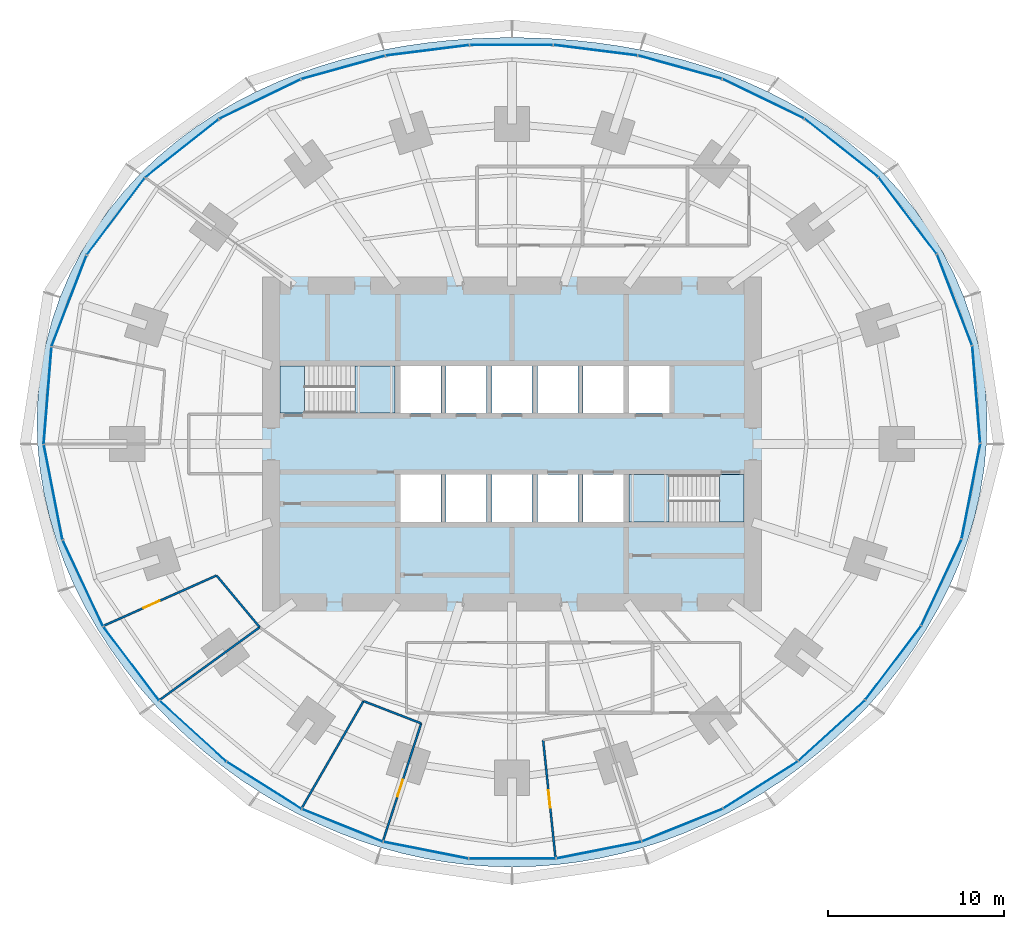
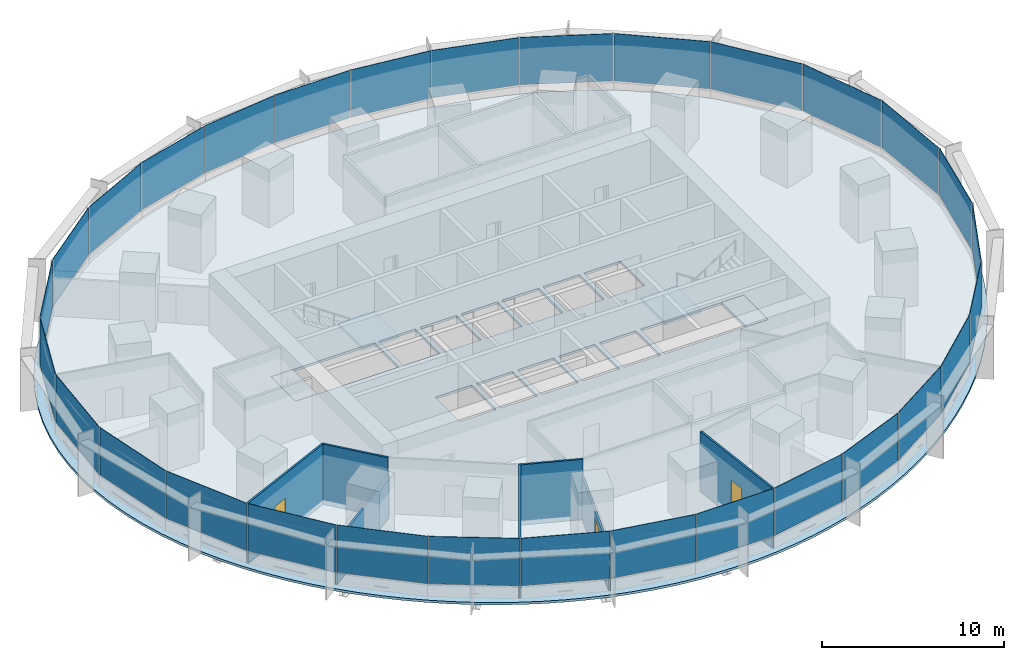
# One storey, part 10 of 15: 30 plates, 7 walls, 5 slabs, 3 doors, 3 openings, 8 elements without a shape of their own.
"""IFC4 building model written with IfcOpenShell, lengths in metres."""

from ifc_helpers import new_model, si_unit, direction, frame, frame_2d, origin, origin_2d, place, context, subcontext, project, spatial, polyline, rectangle, outline, extrude, material, layer, layer_set, type_object, element, fill, aggregate, save


model = new_model("IFC4")

# Units and contexts
model_context = context("Model", 3, precision=1e-05, world=origin(), true_north=direction((0.0, 1.0)))
body_context = subcontext(model_context, "Body", "Model", "MODEL_VIEW")
ifc_project = project(units=[si_unit("LENGTHUNIT", "METRE"), si_unit("AREAUNIT", "SQUARE_METRE"), si_unit("VOLUMEUNIT", "CUBIC_METRE"), si_unit("PLANEANGLEUNIT", "RADIAN"), si_unit("MASSUNIT", "GRAM", prefix="KILO")], contexts=[model_context])

# Site, building, storey
site_placement = place(None, origin())
site = spatial("IfcSite", under=ifc_project, at=site_placement, CompositionType="ELEMENT")
building_placement = place(site_placement, origin())
building = spatial("IfcBuilding", under=site, at=building_placement, Name="Marramba Exchange Tower", CompositionType="ELEMENT")
storey_placement = place(building_placement, frame((0.0, 0.0, 57.39990234375)))
storey = spatial("IfcBuildingStorey", under=building, at=storey_placement, Name="L13", CompositionType="ELEMENT", Elevation=57.39990234375)

# Slab
ifc_material_1 = material(Name="Concrete N40", Category="concrete")
ifc_layer_1 = layer(ifc_material_1, 0.159912109375)
ifc_layer_set_1 = layer_set([ifc_layer_1], Name="Composite floor slab 160")
slab_type_1 = type_object("IfcSlabType", Name="Composite floor slab 160", PredefinedType="FLOOR", material=ifc_layer_set_1)
slab_1_placement = place(storey_placement, frame((0.0, 0.0, -0.159912109375)))
element("IfcSlab", 1, at=slab_1_placement, inside=storey, type_object=slab_type_1, Name="Floor slab L13", PredefinedType="FLOOR", context=body_context, shape_type="SweptSolid", body=[
    extrude(outline(polyline([(27.0, 0.0), (27.035888671875, 1.4169921875), (26.97265625, 2.8349609375), (26.80859375, 4.24609375), (26.5439453125, 5.64208984375), (26.179443359375, 7.0146484375), (25.717529296875, 8.356201171875), (25.16162109375, 9.65869140625), (24.516357421875, 10.915283203125), (23.786865234375, 12.1201171875), (22.9794921875, 13.267333984375), (22.10107421875, 14.3525390625), (21.158447265625, 15.37255859375), (20.159423828125, 16.32470703125), (19.11083984375, 17.20751953125), (18.020263671875, 18.020263671875), (16.89453125, 18.763427734375), (15.740478515625, 19.437744140625), (14.563720703125, 20.04541015625), (13.3701171875, 20.588134765625), (12.164306640625, 21.069091796875), (10.9501953125, 21.4912109375), (9.7314453125, 21.857421875), (8.5107421875, 22.1708984375), (7.289794921875, 22.435302734375), (6.06982421875, 22.6533203125), (4.85205078125, 22.827392578125), (3.636474609375, 22.96044921875), (2.423095703125, 23.053955078125), (1.211181640625, 23.109619140625), (0.0, 23.1279296875), (-1.211181640625, 23.109619140625), (-2.423095703125, 23.053955078125), (-3.636474609375, 22.96044921875), (-4.85205078125, 22.827392578125), (-6.06982421875, 22.6533203125), (-7.289794921875, 22.435302734375), (-8.5107421875, 22.1708984375), (-9.7314453125, 21.857421875), (-10.9501953125, 21.4912109375), (-12.164306640625, 21.069091796875), (-13.3701171875, 20.588134765625), (-14.563720703125, 20.04541015625), (-15.740478515625, 19.437744140625), (-16.89453125, 18.763427734375), (-18.020263671875, 18.020263671875), (-19.11083984375, 17.20751953125), (-20.159423828125, 16.32470703125), (-21.158447265625, 15.37255859375), (-22.10107421875, 14.3525390625), (-22.9794921875, 13.267333984375), (-23.786865234375, 12.1201171875), (-24.516357421875, 10.915283203125), (-25.16162109375, 9.65869140625), (-25.717529296875, 8.356201171875), (-26.179443359375, 7.0146484375), (-26.5439453125, 5.64208984375), (-26.80859375, 4.24609375), (-26.97265625, 2.8349609375), (-27.035888671875, 1.4169921875), (-27.0, 0.0), (-26.8671875, -1.407958984375), (-26.64111328125, -2.800048828125), (-26.326171875, -4.169677734375), (-25.927001953125, -5.510986328125), (-25.44921875, -6.819091796875), (-24.8984375, -8.090087890625), (-24.280517578125, -9.320556640625), (-23.60107421875, -10.5078125), (-22.865234375, -11.650390625), (-22.078369140625, -12.7470703125), (-21.244873046875, -13.796630859375), (-20.36865234375, -14.798583984375), (-19.453369140625, -15.753173828125), (-18.502197265625, -16.659423828125), (-17.517578125, -17.517578125), (-16.501953125, -18.327392578125), (-15.457275390625, -19.088134765625), (-14.385009765625, -19.799072265625), (-13.286865234375, -20.459716796875), (-12.164306640625, -21.069091796875), (-11.01904296875, -21.6259765625), (-9.8525390625, -22.129150390625), (-8.66650390625, -22.577392578125), (-7.463134765625, -22.968994140625), (-6.244140625, -23.30322265625), (-5.01171875, -23.578369140625), (-3.7685546875, -23.793701171875), (-2.51708984375, -23.947998046875), (-1.260009765625, -24.041015625), (0.0, -24.072021484375), (1.260009765625, -24.041015625), (2.51708984375, -23.947998046875), (3.7685546875, -23.793701171875), (5.01171875, -23.578369140625), (6.244140625, -23.30322265625), (7.463134765625, -22.968994140625), (8.66650390625, -22.577392578125), (9.8525390625, -22.129150390625), (11.01904296875, -21.6259765625), (12.164306640625, -21.069091796875), (13.286865234375, -20.459716796875), (14.385009765625, -19.799072265625), (15.457275390625, -19.088134765625), (16.501953125, -18.327392578125), (17.517578125, -17.517578125), (18.502197265625, -16.659423828125), (19.453369140625, -15.753173828125), (20.36865234375, -14.798583984375), (21.244873046875, -13.796630859375), (22.078369140625, -12.7470703125), (22.865234375, -11.650390625), (23.60107421875, -10.5078125), (24.280517578125, -9.320556640625), (24.8984375, -8.090087890625), (25.44921875, -6.819091796875), (25.927001953125, -5.510986328125), (26.326171875, -4.169677734375), (26.64111328125, -2.800048828125), (26.8671875, -1.407958984375), (27.0, 0.0)]), holes=[polyline([(-6.35009765625, 1.75), (-4.050048828125, 1.75), (-4.050048828125, 4.449951171875), (-6.35009765625, 4.449951171875), (-6.35009765625, 1.75)]), polyline([(-3.75, 1.75), (-1.449951171875, 1.75), (-1.449951171875, 4.449951171875), (-3.75, 4.449951171875), (-3.75, 1.75)]), polyline([(-1.14990234375, 1.75), (1.14990234375, 1.75), (1.14990234375, 4.449951171875), (-1.14990234375, 4.449951171875), (-1.14990234375, 1.75)]), polyline([(1.449951171875, 1.75), (3.75, 1.75), (3.75, 4.449951171875), (1.449951171875, 4.449951171875), (1.449951171875, 1.75)]), polyline([(4.050048828125, 1.75), (6.35009765625, 1.75), (6.35009765625, 4.449951171875), (4.050048828125, 4.449951171875), (4.050048828125, 1.75)]), polyline([(-6.35009765625, -4.449951171875), (-4.050048828125, -4.449951171875), (-4.050048828125, -1.75), (-6.35009765625, -1.75), (-6.35009765625, -4.449951171875)]), polyline([(-3.75, -4.449951171875), (-1.449951171875, -4.449951171875), (-1.449951171875, -1.75), (-3.75, -1.75), (-3.75, -4.449951171875)]), polyline([(-1.14990234375, -4.449951171875), (1.14990234375, -4.449951171875), (1.14990234375, -1.75), (-1.14990234375, -1.75), (-1.14990234375, -4.449951171875)]), polyline([(1.449951171875, -4.449951171875), (3.75, -4.449951171875), (3.75, -1.75), (1.449951171875, -1.75), (1.449951171875, -4.449951171875)]), polyline([(4.050048828125, -4.449951171875), (6.35009765625, -4.449951171875), (6.35009765625, -1.75), (4.050048828125, -1.75), (4.050048828125, -4.449951171875)]), polyline([(6.64990234375, 1.75), (8.949951171875, 1.75), (8.949951171875, 4.449951171875), (6.64990234375, 4.449951171875), (6.64990234375, 1.75)]), polyline([(-13.199951171875, 1.75), (-6.64990234375, 1.75), (-6.64990234375, 4.449951171875), (-13.199951171875, 4.449951171875), (-13.199951171875, 1.75)]), polyline([(6.64990234375, -4.449951171875), (13.199951171875, -4.449951171875), (13.199951171875, -1.75), (6.64990234375, -1.75), (6.64990234375, -4.449951171875)])]), origin(), (0.0, 0.0, 1.0), 0.159912109375),
])

# Stair, slabs
ifc_material_2 = material(Name="Concrete N40 (40 MPa)", Category="concrete")
stair_type_1 = type_object("IfcStairType", Name="Exit stair ST1 4200 x 1250", PredefinedType="HALF_TURN_STAIR", material=ifc_material_2)
stair_1_placement = place(storey_placement, origin())
stair_1 = element("IfcStair", 2, at=stair_1_placement, inside=storey, type_object=stair_type_1, Name="Exit stair ST1 L13", PredefinedType="HALF_TURN_STAIR")
ifc_layer_2 = layer(ifc_material_2, 0.199951171875)
ifc_layer_set_2 = layer_set([ifc_layer_2], Name="Stair landing 200")
slab_type_2 = type_object("IfcSlabType", Name="Stair landing 200", PredefinedType="LANDING", material=ifc_layer_set_2)
slab_2_placement = place(storey_placement, frame((0.0, 0.0, -0.199951171875)))
slab_2 = element("IfcSlab", 3, at=slab_2_placement, type_object=slab_type_2, Name="ST1 landing 1", PredefinedType="LANDING", context=body_context, shape_type="SweptSolid", body=[
    extrude(outline(polyline([(-13.199951171875, 1.75), (-11.800048828125, 1.75), (-11.800048828125, 4.449951171875), (-13.199951171875, 4.449951171875), (-13.199951171875, 1.75)])), origin(), (0.0, 0.0, 1.0), 0.199951171875),
])
slab_3_placement = place(storey_placement, frame((0.0, 0.0, 1.900146484375)))
slab_3 = element("IfcSlab", 4, at=slab_3_placement, type_object=slab_type_2, Name="ST1 landing 2", PredefinedType="LANDING", context=body_context, shape_type="SweptSolid", body=[
    extrude(outline(polyline([(-8.93994140625, 1.75), (-6.64990234375, 1.75), (-6.64990234375, 4.449951171875), (-8.93994140625, 4.449951171875), (-8.93994140625, 1.75)])), origin(), (0.0, 0.0, 1.0), 0.199951171875),
])
aggregate(stair_1, [slab_2, slab_3])

stair_type_2 = type_object("IfcStairType", Name="Exit stair ST2 4200 x 1250", PredefinedType="HALF_TURN_STAIR", material=ifc_material_2)
stair_2_placement = place(storey_placement, origin())
stair_2 = element("IfcStair", 5, at=stair_2_placement, inside=storey, type_object=stair_type_2, Name="Exit stair ST2 L13", PredefinedType="HALF_TURN_STAIR")
slab_4_placement = place(storey_placement, frame((0.0, 0.0, -0.199951171875)))
slab_4 = element("IfcSlab", 6, at=slab_4_placement, type_object=slab_type_2, Name="ST2 landing 1", PredefinedType="LANDING", context=body_context, shape_type="SweptSolid", body=[
    extrude(outline(polyline([(11.800048828125, -4.449951171875), (13.199951171875, -4.449951171875), (13.199951171875, -1.75), (11.800048828125, -1.75), (11.800048828125, -4.449951171875)])), origin(), (0.0, 0.0, 1.0), 0.199951171875),
])
slab_5_placement = place(storey_placement, frame((0.0, 0.0, 1.900146484375)))
slab_5 = element("IfcSlab", 7, at=slab_5_placement, type_object=slab_type_2, Name="ST2 landing 2", PredefinedType="LANDING", context=body_context, shape_type="SweptSolid", body=[
    extrude(outline(polyline([(6.64990234375, -4.449951171875), (8.93994140625, -4.449951171875), (8.93994140625, -1.75), (6.64990234375, -1.75), (6.64990234375, -4.449951171875)])), origin(), (0.0, 0.0, 1.0), 0.199951171875),
])
aggregate(stair_2, [slab_4, slab_5])

# Curtain wall, plates
ifc_material_3 = material(Name="Aluminium framing, bronze anodised", Category="aluminium")
curtain_wall_type = type_object("IfcCurtainWallType", Name="Trading floor ribbon curtain wall", PredefinedType="USERDEFINED", material=ifc_material_3)
curtain_wall_1_placement = place(storey_placement, origin())
curtain_wall_1 = element("IfcCurtainWall", 8, at=curtain_wall_1_placement, inside=storey, type_object=curtain_wall_type, Name="Curtain wall CW3 L13 F01-F05", ObjectType="RIBBON CURTAIN WALL", PredefinedType="USERDEFINED")
ifc_material_4 = material(Name="Double glazed unit 10 + 12 + 8.76, bronze tinted", Category="glass")
ifc_layer_3 = layer(ifc_material_4, 0.03076171875)
ifc_layer_set_3 = layer_set([ifc_layer_3], Name="Trading floor ribbon curtain wall panel")
plate_type = type_object("IfcPlateType", Name="Trading floor ribbon curtain wall panel", PredefinedType="CURTAIN_PANEL", material=ifc_layer_set_3)
plate_1_placement = place(storey_placement, frame((26.42333984375, 2.814453125, 0.8603515625), z_axis=(0.0, 0.0, 1.0), x_axis=(-0.080275225953, 0.996772736434, 0.0)))
plate_1 = element("IfcPlate", 9, at=plate_1_placement, type_object=plate_type, Name="CW3 vision panel", PredefinedType="CURTAIN_PANEL", context=body_context, shape_type="SweptSolid", body=[
    extrude(rectangle(XDim=5.52734375, YDim=0.03076171875, at=origin_2d()), origin(), (0.0, 0.0, 1.0), 3.179931640625),
])
plate_2_placement = place(storey_placement, frame((25.188232421875, 8.19921875, 0.8603515625), z_axis=(0.0, 0.0, 1.0), x_axis=(-0.359525510698, 0.933135256626, 0.0)))
plate_2 = element("IfcPlate", 10, at=plate_2_placement, type_object=plate_type, Name="CW3 vision panel", PredefinedType="CURTAIN_PANEL", context=body_context, shape_type="SweptSolid", body=[
    extrude(rectangle(XDim=5.5166015625, YDim=0.03076171875, at=origin_2d()), origin(), (0.0, 0.0, 1.0), 3.179931640625),
])
plate_3_placement = place(storey_placement, frame((22.517822265625, 12.993896484375, 0.8603515625), z_axis=(0.0, 0.0, 1.0), x_axis=(-0.602989765036, 0.797748922445, 0.0)))
plate_3 = element("IfcPlate", 11, at=plate_3_placement, type_object=plate_type, Name="CW3 vision panel", PredefinedType="CURTAIN_PANEL", context=body_context, shape_type="SweptSolid", body=[
    extrude(rectangle(XDim=5.44775390625, YDim=0.03076171875, at=origin_2d()), origin(), (0.0, 0.0, 1.0), 3.179931640625),
])
plate_4_placement = place(storey_placement, frame((18.744384765625, 16.853759765625, 0.8603515625), z_axis=(0.0, 0.0, 1.0), x_axis=(-0.784087949432, 0.620649730166, 0.0)))
plate_4 = element("IfcPlate", 12, at=plate_4_placement, type_object=plate_type, Name="CW3 vision panel", PredefinedType="CURTAIN_PANEL", context=body_context, shape_type="SweptSolid", body=[
    extrude(rectangle(XDim=5.315673828125, YDim=0.03076171875, at=origin_2d()), origin(), (0.0, 0.0, 1.0), 3.179931640625),
])
plate_5_placement = place(storey_placement, frame((14.2978515625, 19.647705078125, 0.8603515625), z_axis=(0.0, 0.0, 1.0), x_axis=(-0.899963433508, 0.43596538664, 0.0)))
plate_5 = element("IfcPlate", 13, at=plate_5_placement, type_object=plate_type, Name="CW3 vision panel", PredefinedType="CURTAIN_PANEL", context=body_context, shape_type="SweptSolid", body=[
    extrude(rectangle(XDim=5.13037109375, YDim=0.03076171875, at=origin_2d()), origin(), (0.0, 0.0, 1.0), 3.179931640625),
])
aggregate(curtain_wall_1, [plate_1, plate_2, plate_3, plate_4, plate_5])

curtain_wall_2_placement = place(storey_placement, origin())
curtain_wall_2 = element("IfcCurtainWall", 14, at=curtain_wall_2_placement, inside=storey, type_object=curtain_wall_type, Name="Curtain wall CW3 L13 F06-F10", ObjectType="RIBBON CURTAIN WALL", PredefinedType="USERDEFINED")
plate_6_placement = place(storey_placement, frame((9.556396484375, 21.4423828125, 0.8603515625), z_axis=(0.0, 0.0, 1.0), x_axis=(-0.963472096649, 0.267808735815, 0.0)))
plate_6 = element("IfcPlate", 15, at=plate_6_placement, type_object=plate_type, Name="CW3 vision panel", PredefinedType="CURTAIN_PANEL", context=body_context, shape_type="SweptSolid", body=[
    extrude(rectangle(XDim=4.929931640625, YDim=0.03076171875, at=origin_2d()), origin(), (0.0, 0.0, 1.0), 3.179931640625),
])
plate_7_placement = place(storey_placement, frame((4.754150390625, 22.407958984375, 0.8603515625), z_axis=(0.0, 0.0, 1.0), x_axis=(-0.992172768738, 0.124872723099, 0.0)))
plate_7 = element("IfcPlate", 16, at=plate_7_placement, type_object=plate_type, Name="CW3 vision panel", PredefinedType="CURTAIN_PANEL", context=body_context, shape_type="SweptSolid", body=[
    extrude(rectangle(XDim=4.77294921875, YDim=0.03076171875, at=origin_2d()), origin(), (0.0, 0.0, 1.0), 3.179931640625),
])
plate_8_placement = place(storey_placement, frame((-0.030029296875, 22.7060546875, 0.8603515625), z_axis=(0.0, 0.0, 1.0), x_axis=(-1.0, 0.0, 0.0)))
plate_8 = element("IfcPlate", 17, at=plate_8_placement, type_object=plate_type, Name="CW3 vision panel", PredefinedType="CURTAIN_PANEL", context=body_context, shape_type="SweptSolid", body=[
    extrude(rectangle(XDim=4.712890625, YDim=0.03076171875, at=origin_2d()), origin(), (0.0, 0.0, 1.0), 3.179931640625),
])
plate_9_placement = place(storey_placement, frame((-4.813720703125, 22.400390625, 0.8603515625), z_axis=(0.0, 0.0, 1.0), x_axis=(-0.992172768738, -0.124872723099, 0.0)))
plate_9 = element("IfcPlate", 18, at=plate_9_placement, type_object=plate_type, Name="CW3 vision panel", PredefinedType="CURTAIN_PANEL", context=body_context, shape_type="SweptSolid", body=[
    extrude(rectangle(XDim=4.77294921875, YDim=0.03076171875, at=origin_2d()), origin(), (0.0, 0.0, 1.0), 3.179931640625),
])
plate_10_placement = place(storey_placement, frame((-9.6142578125, 21.42626953125, 0.8603515625), z_axis=(0.0, 0.0, 1.0), x_axis=(-0.963472096649, -0.267808735815, 0.0)))
plate_10 = element("IfcPlate", 19, at=plate_10_placement, type_object=plate_type, Name="CW3 vision panel", PredefinedType="CURTAIN_PANEL", context=body_context, shape_type="SweptSolid", body=[
    extrude(rectangle(XDim=4.929931640625, YDim=0.03076171875, at=origin_2d()), origin(), (0.0, 0.0, 1.0), 3.179931640625),
])
aggregate(curtain_wall_2, [plate_6, plate_7, plate_8, plate_9, plate_10])

curtain_wall_3_placement = place(storey_placement, origin())
curtain_wall_3 = element("IfcCurtainWall", 20, at=curtain_wall_3_placement, inside=storey, type_object=curtain_wall_type, Name="Curtain wall CW3 L13 F11-F15", ObjectType="RIBBON CURTAIN WALL", PredefinedType="USERDEFINED")
plate_11_placement = place(storey_placement, frame((-14.351806640625, 19.62158203125, 0.8603515625), z_axis=(0.0, 0.0, 1.0), x_axis=(-0.899963433508, -0.43596538664, 0.0)))
plate_11 = element("IfcPlate", 21, at=plate_11_placement, type_object=plate_type, Name="CW3 vision panel", PredefinedType="CURTAIN_PANEL", context=body_context, shape_type="SweptSolid", body=[
    extrude(rectangle(XDim=5.13037109375, YDim=0.03076171875, at=origin_2d()), origin(), (0.0, 0.0, 1.0), 3.179931640625),
])
plate_12_placement = place(storey_placement, frame((-18.79150390625, 16.81640625, 0.8603515625), z_axis=(0.0, 0.0, 1.0), x_axis=(-0.784087949432, -0.620649730166, 0.0)))
plate_12 = element("IfcPlate", 22, at=plate_12_placement, type_object=plate_type, Name="CW3 vision panel", PredefinedType="CURTAIN_PANEL", context=body_context, shape_type="SweptSolid", body=[
    extrude(rectangle(XDim=5.315673828125, YDim=0.03076171875, at=origin_2d()), origin(), (0.0, 0.0, 1.0), 3.179931640625),
])
plate_13_placement = place(storey_placement, frame((-22.553955078125, 12.946044921875, 0.8603515625), z_axis=(0.0, 0.0, 1.0), x_axis=(-0.602989765036, -0.797748922445, 0.0)))
plate_13 = element("IfcPlate", 23, at=plate_13_placement, type_object=plate_type, Name="CW3 vision panel", PredefinedType="CURTAIN_PANEL", context=body_context, shape_type="SweptSolid", body=[
    extrude(rectangle(XDim=5.44775390625, YDim=0.03076171875, at=origin_2d()), origin(), (0.0, 0.0, 1.0), 3.179931640625),
])
plate_14_placement = place(storey_placement, frame((-25.209716796875, 8.14306640625, 0.8603515625), z_axis=(0.0, 0.0, 1.0), x_axis=(-0.359525510698, -0.933135256626, 0.0)))
plate_14 = element("IfcPlate", 24, at=plate_14_placement, type_object=plate_type, Name="CW3 vision panel", PredefinedType="CURTAIN_PANEL", context=body_context, shape_type="SweptSolid", body=[
    extrude(rectangle(XDim=5.5166015625, YDim=0.03076171875, at=origin_2d()), origin(), (0.0, 0.0, 1.0), 3.179931640625),
])
plate_15_placement = place(storey_placement, frame((-26.42822265625, 2.754638671875, 0.8603515625), z_axis=(0.0, 0.0, 1.0), x_axis=(-0.080275225953, -0.996772736434, 0.0)))
plate_15 = element("IfcPlate", 25, at=plate_15_placement, type_object=plate_type, Name="CW3 vision panel", PredefinedType="CURTAIN_PANEL", context=body_context, shape_type="SweptSolid", body=[
    extrude(rectangle(XDim=5.52734375, YDim=0.03076171875, at=origin_2d()), origin(), (0.0, 0.0, 1.0), 3.179931640625),
])
aggregate(curtain_wall_3, [plate_11, plate_12, plate_13, plate_14, plate_15])

curtain_wall_4_placement = place(storey_placement, origin())
curtain_wall_4 = element("IfcCurtainWall", 26, at=curtain_wall_4_placement, inside=storey, type_object=curtain_wall_type, Name="Curtain wall CW3 L13 F16-F20", ObjectType="RIBBON CURTAIN WALL", PredefinedType="USERDEFINED")
plate_16_placement = place(storey_placement, frame((-26.111572265625, -2.74853515625, 0.8603515625), z_axis=(0.0, 0.0, 1.0), x_axis=(0.1922485756, -0.981346261612, 0.0)))
plate_16 = element("IfcPlate", 27, at=plate_16_placement, type_object=plate_type, Name="CW3 vision panel", PredefinedType="CURTAIN_PANEL", context=body_context, shape_type="SweptSolid", body=[
    extrude(rectangle(XDim=5.4814453125, YDim=0.03076171875, at=origin_2d()), origin(), (0.0, 0.0, 1.0), 3.179931640625),
])
plate_17_placement = place(storey_placement, frame((-24.420166015625, -7.928955078125, 0.8603515625), z_axis=(0.0, 0.0, 1.0), x_axis=(0.423477206492, -0.905906758768, 0.0)))
plate_17 = element("IfcPlate", 28, at=plate_17_placement, type_object=plate_type, Name="CW3 vision panel", PredefinedType="CURTAIN_PANEL", context=body_context, shape_type="SweptSolid", body=[
    extrude(rectangle(XDim=5.379150390625, YDim=0.03076171875, at=origin_2d()), origin(), (0.0, 0.0, 1.0), 3.179931640625),
])
plate_18_placement = place(storey_placement, frame((-21.665283203125, -12.503173828125, 0.8603515625), z_axis=(0.0, 0.0, 1.0), x_axis=(0.603040473588, -0.797710591138, 0.0)))
plate_18 = element("IfcPlate", 29, at=plate_18_placement, type_object=plate_type, Name="CW3 vision panel", PredefinedType="CURTAIN_PANEL", context=body_context, shape_type="SweptSolid", body=[
    extrude(rectangle(XDim=5.239501953125, YDim=0.03076171875, at=origin_2d()), origin(), (0.0, 0.0, 1.0), 3.179931640625),
])
plate_19_placement = place(storey_placement, frame((-18.154541015625, -16.350341796875, 0.8603515625), z_axis=(0.0, 0.0, 1.0), x_axis=(0.739589581463, -0.673058133441, 0.0)))
plate_19 = element("IfcPlate", 30, at=plate_19_placement, type_object=plate_type, Name="CW3 vision panel", PredefinedType="CURTAIN_PANEL", context=body_context, shape_type="SweptSolid", body=[
    extrude(rectangle(XDim=5.101806640625, YDim=0.03076171875, at=origin_2d()), origin(), (0.0, 0.0, 1.0), 3.179931640625),
])
plate_20_placement = place(storey_placement, frame((-14.103271484375, -19.4326171875, 0.8603515625), z_axis=(0.0, 0.0, 1.0), x_axis=(0.845790826298, -0.533514646612, 0.0)))
plate_20 = element("IfcPlate", 31, at=plate_20_placement, type_object=plate_type, Name="CW3 vision panel", PredefinedType="CURTAIN_PANEL", context=body_context, shape_type="SweptSolid", body=[
    extrude(rectangle(XDim=4.99853515625, YDim=0.03076171875, at=origin_2d()), origin(), (0.0, 0.0, 1.0), 3.179931640625),
])
aggregate(curtain_wall_4, [plate_16, plate_17, plate_18, plate_19, plate_20])

curtain_wall_5_placement = place(storey_placement, origin())
curtain_wall_5 = element("IfcCurtainWall", 32, at=curtain_wall_5_placement, inside=storey, type_object=curtain_wall_type, Name="Curtain wall CW3 L13 F21-F25", ObjectType="RIBBON CURTAIN WALL", PredefinedType="USERDEFINED")
plate_21_placement = place(storey_placement, frame((-9.644287109375, -21.71240234375, 0.8603515625), z_axis=(0.0, 0.0, 1.0), x_axis=(0.927340673283, -0.374218219325, 0.0)))
plate_21 = element("IfcPlate", 33, at=plate_21_placement, type_object=plate_type, Name="CW3 vision panel", PredefinedType="CURTAIN_PANEL", context=body_context, shape_type="SweptSolid", body=[
    extrude(rectangle(XDim=4.9375, YDim=0.03076171875, at=origin_2d()), origin(), (0.0, 0.0, 1.0), 3.179931640625),
])
plate_22_placement = place(storey_placement, frame((-4.88818359375, -23.1240234375, 0.8603515625), z_axis=(0.0, 0.0, 1.0), x_axis=(0.98100920064, -0.193961202977, 0.0)))
plate_22 = element("IfcPlate", 34, at=plate_22_placement, type_object=plate_type, Name="CW3 vision panel", PredefinedType="CURTAIN_PANEL", context=body_context, shape_type="SweptSolid", body=[
    extrude(rectangle(XDim=4.908935546875, YDim=0.03076171875, at=origin_2d()), origin(), (0.0, 0.0, 1.0), 3.179931640625),
])
plate_23_placement = place(storey_placement, frame((0.030029296875, -23.599853515625, 0.8603515625), z_axis=(0.0, 0.0, 1.0), x_axis=(1.0, 0.0, 0.0)))
plate_23 = element("IfcPlate", 35, at=plate_23_placement, type_object=plate_type, Name="CW3 vision panel", PredefinedType="CURTAIN_PANEL", context=body_context, shape_type="SweptSolid", body=[
    extrude(rectangle(XDim=4.90087890625, YDim=0.03076171875, at=origin_2d()), origin(), (0.0, 0.0, 1.0), 3.179931640625),
])
plate_24_placement = place(storey_placement, frame((4.947021484375, -23.1123046875, 0.8603515625), z_axis=(0.0, 0.0, 1.0), x_axis=(0.98100920064, 0.193961202977, 0.0)))
plate_24 = element("IfcPlate", 36, at=plate_24_placement, type_object=plate_type, Name="CW3 vision panel", PredefinedType="CURTAIN_PANEL", context=body_context, shape_type="SweptSolid", body=[
    extrude(rectangle(XDim=4.908935546875, YDim=0.03076171875, at=origin_2d()), origin(), (0.0, 0.0, 1.0), 3.179931640625),
])
plate_25_placement = place(storey_placement, frame((9.699951171875, -21.68994140625, 0.8603515625), z_axis=(0.0, 0.0, 1.0), x_axis=(0.927340673283, 0.374218219325, 0.0)))
plate_25 = element("IfcPlate", 37, at=plate_25_placement, type_object=plate_type, Name="CW3 vision panel", PredefinedType="CURTAIN_PANEL", context=body_context, shape_type="SweptSolid", body=[
    extrude(rectangle(XDim=4.9375, YDim=0.03076171875, at=origin_2d()), origin(), (0.0, 0.0, 1.0), 3.179931640625),
])
aggregate(curtain_wall_5, [plate_21, plate_22, plate_23, plate_24, plate_25])

curtain_wall_6_placement = place(storey_placement, origin())
curtain_wall_6 = element("IfcCurtainWall", 38, at=curtain_wall_6_placement, inside=storey, type_object=curtain_wall_type, Name="Curtain wall CW3 L13 F26-F30", ObjectType="RIBBON CURTAIN WALL", PredefinedType="USERDEFINED")
plate_26_placement = place(storey_placement, frame((14.15380859375, -19.400634765625, 0.8603515625), z_axis=(0.0, 0.0, 1.0), x_axis=(0.845790826298, 0.533514646612, 0.0)))
plate_26 = element("IfcPlate", 39, at=plate_26_placement, type_object=plate_type, Name="CW3 vision panel", PredefinedType="CURTAIN_PANEL", context=body_context, shape_type="SweptSolid", body=[
    extrude(rectangle(XDim=4.99853515625, YDim=0.03076171875, at=origin_2d()), origin(), (0.0, 0.0, 1.0), 3.179931640625),
])
plate_27_placement = place(storey_placement, frame((18.19873046875, -16.309814453125, 0.8603515625), z_axis=(0.0, 0.0, 1.0), x_axis=(0.739589581463, 0.673058133441, 0.0)))
plate_27 = element("IfcPlate", 40, at=plate_27_placement, type_object=plate_type, Name="CW3 vision panel", PredefinedType="CURTAIN_PANEL", context=body_context, shape_type="SweptSolid", body=[
    extrude(rectangle(XDim=5.101806640625, YDim=0.03076171875, at=origin_2d()), origin(), (0.0, 0.0, 1.0), 3.179931640625),
])
plate_28_placement = place(storey_placement, frame((21.701416015625, -12.455322265625, 0.8603515625), z_axis=(0.0, 0.0, 1.0), x_axis=(0.603040473588, 0.797710591138, 0.0)))
plate_28 = element("IfcPlate", 41, at=plate_28_placement, type_object=plate_type, Name="CW3 vision panel", PredefinedType="CURTAIN_PANEL", context=body_context, shape_type="SweptSolid", body=[
    extrude(rectangle(XDim=5.239501953125, YDim=0.03076171875, at=origin_2d()), origin(), (0.0, 0.0, 1.0), 3.179931640625),
])
plate_29_placement = place(storey_placement, frame((24.44580078125, -7.874755859375, 0.8603515625), z_axis=(0.0, 0.0, 1.0), x_axis=(0.423477206492, 0.905906758768, 0.0)))
plate_29 = element("IfcPlate", 42, at=plate_29_placement, type_object=plate_type, Name="CW3 vision panel", PredefinedType="CURTAIN_PANEL", context=body_context, shape_type="SweptSolid", body=[
    extrude(rectangle(XDim=5.379150390625, YDim=0.03076171875, at=origin_2d()), origin(), (0.0, 0.0, 1.0), 3.179931640625),
])
plate_30_placement = place(storey_placement, frame((26.123046875, -2.689697265625, 0.8603515625), z_axis=(0.0, 0.0, 1.0), x_axis=(0.1922485756, 0.981346261612, 0.0)))
plate_30 = element("IfcPlate", 43, at=plate_30_placement, type_object=plate_type, Name="CW3 vision panel", PredefinedType="CURTAIN_PANEL", context=body_context, shape_type="SweptSolid", body=[
    extrude(rectangle(XDim=5.4814453125, YDim=0.03076171875, at=origin_2d()), origin(), (0.0, 0.0, 1.0), 3.179931640625),
])
aggregate(curtain_wall_6, [plate_26, plate_27, plate_28, plate_29, plate_30])

# Wall, opening, door
ifc_material_5 = material(Name="Plasterboard on steel studs", Category="steel")
ifc_layer_4 = layer(ifc_material_5, 0.1201171875)
ifc_layer_set_4 = layer_set([ifc_layer_4], Name="Partition 120")
wall_type = type_object("IfcWallType", Name="Partition 120", PredefinedType="PARTITIONING", material=ifc_layer_set_4)
wall_1_placement = place(storey_placement, frame((-16.8134765625, -7.48583984375, 0.0), z_axis=(0.0, 0.0, 1.0), x_axis=(-0.913543837108, -0.406740282837, 0.0)))
wall_1 = element("IfcWall", 44, at=wall_1_placement, inside=storey, type_object=wall_type, Name="Partition L13 02", PredefinedType="PARTITIONING", context=body_context, shape_type="SweptSolid", body=[
    extrude(rectangle(XDim=7.0, YDim=0.1201171875, at=frame_2d((3.5, 0.0))), origin(), (0.0, 0.0, 1.0), 4.0400390625),
])
opening_1_placement = place(wall_1_placement, frame((3.550048828125, 0.0, 0.0)))
opening_1 = element("IfcOpeningElement", 45, at=opening_1_placement, cuts=wall_1, Name="Opening D9", PredefinedType="OPENING", context=body_context, shape_type="SweptSolid", body=[
    extrude(rectangle(XDim=1.0, YDim=2.39990234375, at=frame_2d((0.5, 1.199951171875))), frame((0.0, 0.070068359375, 0.0), z_axis=(0.0, -1.0, 0.0), x_axis=(1.0, 0.0, 0.0)), (0.0, 0.0, 1.0), 0.14013671875),
])
ifc_material_6 = material(Name="Timber door", Category="wood")
door_type = type_object("IfcDoorType", Name="Room door 1000x2400", OperationType="SINGLE_SWING_LEFT", PredefinedType="DOOR", material=ifc_material_6)
door_1_placement = place(opening_1_placement, origin())
door_1 = element("IfcDoor", 46, at=door_1_placement, inside=storey, type_object=door_type, Name="D9 Head of Desk Office 1 L13", OperationType="SINGLE_SWING_RIGHT", OverallHeight=2.39990234375, OverallWidth=1.0, PredefinedType="DOOR", context=body_context, shape_type="SweptSolid", body=[
    extrude(rectangle(XDim=1.0, YDim=2.39990234375, at=frame_2d((0.5, 1.199951171875))), frame((0.0, 0.02490234375, 0.0), z_axis=(0.0, -1.0, 0.0), x_axis=(1.0, 0.0, 0.0)), (0.0, 0.0, 1.0), 0.050048828125),
])
fill(opening_1, door_1)

# Walls
wall_2_placement = place(storey_placement, frame((-14.357666015625, -10.431396484375, 0.0), z_axis=(0.0, 0.0, 1.0), x_axis=(-0.640365972165, 0.768069932814, 0.0)))
element("IfcWall", 47, at=wall_2_placement, inside=storey, type_object=wall_type, Name="Partition L13 03", PredefinedType="PARTITIONING", context=body_context, shape_type="SweptSolid", body=[
    extrude(rectangle(XDim=3.8349609375, YDim=0.1201171875, at=frame_2d((1.91748046875, 0.0))), origin(), (0.0, 0.0, 1.0), 4.0400390625),
])
wall_3_placement = place(storey_placement, frame((-14.357666015625, -10.431396484375, 0.0), z_axis=(0.0, 0.0, 1.0), x_axis=(-0.809015012105, -0.587787980643, 0.0)))
element("IfcWall", 48, at=wall_3_placement, inside=storey, type_object=wall_type, Name="Partition L13 04", PredefinedType="PARTITIONING", context=body_context, shape_type="SweptSolid", body=[
    extrude(rectangle(XDim=7.0, YDim=0.1201171875, at=frame_2d((3.5, 0.0))), origin(), (0.0, 0.0, 1.0), 2.840087890625),
])
wall_4_placement = place(storey_placement, frame((-8.44921875, -14.634521484375, 0.0), z_axis=(0.0, 0.0, 1.0), x_axis=(-0.499995173006, -0.866028190633, 0.0)))
element("IfcWall", 49, at=wall_4_placement, inside=storey, type_object=wall_type, Name="Partition L13 06", PredefinedType="PARTITIONING", context=body_context, shape_type="SweptSolid", body=[
    extrude(rectangle(XDim=7.0, YDim=0.1201171875, at=frame_2d((3.5, 0.0))), origin(), (0.0, 0.0, 1.0), 4.0400390625),
])
wall_5_placement = place(storey_placement, frame((-5.1669921875, -15.902587890625, 0.0), z_axis=(0.0, 0.0, 1.0), x_axis=(-0.932804495801, 0.360382813983, 0.0)))
element("IfcWall", 50, at=wall_5_placement, inside=storey, type_object=wall_type, Name="Partition L13 08", PredefinedType="PARTITIONING", context=body_context, shape_type="SweptSolid", body=[
    extrude(rectangle(XDim=3.5185546875, YDim=0.1201171875, at=frame_2d((1.75927734375, 0.0))), origin(), (0.0, 0.0, 1.0), 4.0400390625),
])

# Wall, opening, door
wall_6_placement = place(storey_placement, frame((-7.330078125, -22.56005859375, 0.0), z_axis=(0.0, 0.0, 1.0), x_axis=(0.309009574742, 0.951058927048, 0.0)))
wall_6 = element("IfcWall", 51, at=wall_6_placement, inside=storey, type_object=wall_type, Name="Partition L13 09", PredefinedType="PARTITIONING", context=body_context, shape_type="SweptSolid", body=[
    extrude(rectangle(XDim=7.0, YDim=0.1201171875, at=frame_2d((3.5, 0.0))), origin(), (0.0, 0.0, 1.0), 2.840087890625),
])
opening_2_placement = place(wall_6_placement, frame((2.62109375, 0.0, 0.0)))
opening_2 = element("IfcOpeningElement", 52, at=opening_2_placement, cuts=wall_6, Name="Opening D9", PredefinedType="OPENING", context=body_context, shape_type="SweptSolid", body=[
    extrude(rectangle(XDim=1.0, YDim=2.39990234375, at=frame_2d((0.5, 1.199951171875))), frame((0.0, 0.070068359375, 0.0), z_axis=(0.0, -1.0, 0.0), x_axis=(1.0, 0.0, 0.0)), (0.0, 0.0, 1.0), 0.14013671875),
])
door_2_placement = place(opening_2_placement, origin())
door_2 = element("IfcDoor", 53, at=door_2_placement, inside=storey, type_object=door_type, Name="D9 Head of Desk Office 3 L13", OperationType="SINGLE_SWING_LEFT", OverallHeight=2.39990234375, OverallWidth=1.0, PredefinedType="DOOR", context=body_context, shape_type="SweptSolid", body=[
    extrude(rectangle(XDim=1.0, YDim=2.39990234375, at=frame_2d((0.5, 1.199951171875))), frame((0.0, 0.02490234375, 0.0), z_axis=(0.0, -1.0, 0.0), x_axis=(1.0, 0.0, 0.0)), (0.0, 0.0, 1.0), 0.050048828125),
])
fill(opening_2, door_2)

wall_7_placement = place(storey_placement, frame((1.771728515625, -16.857177734375, 0.0), z_axis=(0.0, 0.0, 1.0), x_axis=(0.104542522915, -0.994520417539, 0.0)))
wall_7 = element("IfcWall", 54, at=wall_7_placement, inside=storey, type_object=wall_type, Name="Partition L13 12", PredefinedType="PARTITIONING", context=body_context, shape_type="SweptSolid", body=[
    extrude(rectangle(XDim=6.699951171875, YDim=0.1201171875, at=frame_2d((3.35009765625, 0.0))), origin(), (0.0, 0.0, 1.0), 4.0400390625),
])
opening_3_placement = place(wall_7_placement, frame((2.875, 0.0, 0.0)))
opening_3 = element("IfcOpeningElement", 55, at=opening_3_placement, cuts=wall_7, Name="Opening D9", PredefinedType="OPENING", context=body_context, shape_type="SweptSolid", body=[
    extrude(rectangle(XDim=1.0, YDim=2.39990234375, at=frame_2d((0.5, 1.199951171875))), frame((0.0, 0.070068359375, 0.0), z_axis=(0.0, -1.0, 0.0), x_axis=(1.0, 0.0, 0.0)), (0.0, 0.0, 1.0), 0.14013671875),
])
door_3_placement = place(opening_3_placement, origin())
door_3 = element("IfcDoor", 56, at=door_3_placement, inside=storey, type_object=door_type, Name="D9 Risk Office L13", OperationType="SINGLE_SWING_RIGHT", OverallHeight=2.39990234375, OverallWidth=1.0, PredefinedType="DOOR", context=body_context, shape_type="SweptSolid", body=[
    extrude(rectangle(XDim=1.0, YDim=2.39990234375, at=frame_2d((0.5, 1.199951171875))), frame((0.0, 0.02490234375, 0.0), z_axis=(0.0, -1.0, 0.0), x_axis=(1.0, 0.0, 0.0)), (0.0, 0.0, 1.0), 0.050048828125),
])
fill(opening_3, door_3)

save(model, "model.ifc")
